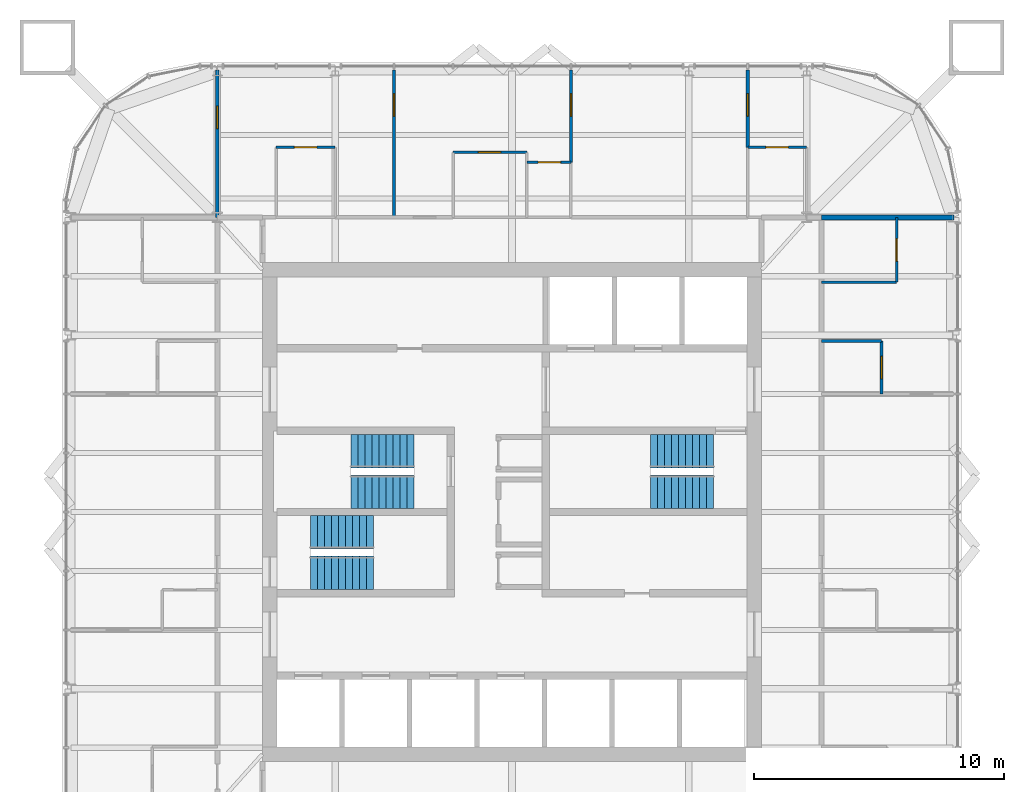
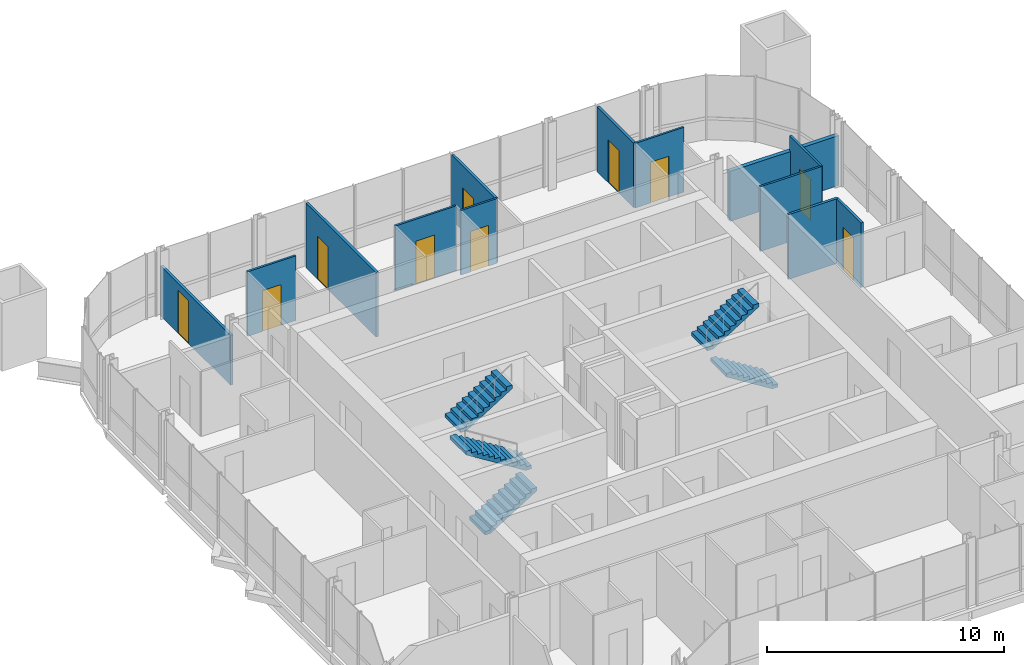
# One storey, part 16 of 17: 13 walls, 10 doors, 6 stair flights, 10 openings, 3 elements without a shape of their own.
"""IFC4 building model written with IfcOpenShell, lengths in metres."""

from ifc_helpers import new_model, si_unit, direction, frame, frame_2d, origin, place, context, subcontext, project, spatial, polyline, rectangle, outline, extrude, material, layer, layer_set, type_object, element, fill, aggregate, save


model = new_model("IFC4")

# Units and contexts
model_context = context("Model", 3, precision=1e-05, world=origin(), true_north=direction((0.0, 1.0)))
body_context = subcontext(model_context, "Body", "Model", "MODEL_VIEW")
ifc_project = project(units=[si_unit("LENGTHUNIT", "METRE"), si_unit("AREAUNIT", "SQUARE_METRE"), si_unit("VOLUMEUNIT", "CUBIC_METRE"), si_unit("PLANEANGLEUNIT", "RADIAN"), si_unit("MASSUNIT", "GRAM", prefix="KILO")], contexts=[model_context])

# Site, building, storey
site_placement = place(None, origin())
site = spatial("IfcSite", under=ifc_project, at=site_placement, CompositionType="ELEMENT")
building_placement = place(site_placement, origin())
building = spatial("IfcBuilding", under=site, at=building_placement, Name="Turquesa Mirador Hotel Tower", CompositionType="ELEMENT")
storey_placement = place(building_placement, frame((0.0, 0.0, 247.699951171875)))
storey = spatial("IfcBuildingStorey", under=building, at=storey_placement, Name="L67", CompositionType="ELEMENT", Elevation=247.699951171875)

# Wall, opening, door
ifc_material_1 = material(Name="Gypsum board on steel studs", Category="steel")
ifc_layer_1 = layer(ifc_material_1, 0.10009765625)
ifc_layer_set_1 = layer_set([ifc_layer_1], Name="BATHROOM WALL 100")
wall_type_1 = type_object("IfcWallType", Name="BATHROOM WALL 100", PredefinedType="PARTITIONING", material=ifc_layer_set_1)
wall_1_placement = place(storey_placement, frame((55.60009765625, 59.0, 0.0), z_axis=(0.0, 0.0, 1.0), x_axis=(1.0, 0.0, 0.0)))
wall_1 = element("IfcWall", 1, at=wall_1_placement, inside=storey, type_object=wall_type_1, Name="Partition L67 033", PredefinedType="PARTITIONING", context=body_context, shape_type="SweptSolid", body=[
    extrude(rectangle(XDim=1.760009765625, YDim=0.10009765625, at=frame_2d((0.8798828125, 0.0))), origin(), (0.0, 0.0, 1.0), 3.330078125),
])
opening_1_placement = place(wall_1_placement, frame((0.449951171875, 0.0, 0.0)))
opening_1 = element("IfcOpeningElement", 2, at=opening_1_placement, cuts=wall_1, Name="Opening D06", PredefinedType="OPENING", context=body_context, shape_type="SweptSolid", body=[
    extrude(rectangle(XDim=0.89990234375, YDim=2.10009765625, at=frame_2d((0.449951171875, 1.050048828125))), frame((0.0, 0.06005859375, 0.0), z_axis=(0.0, -1.0, 0.0), x_axis=(1.0, 0.0, 0.0)), (0.0, 0.0, 1.0), 0.1201171875),
])
ifc_material_2 = material(Name="Laminate door", Category="wood")
door_type_1 = type_object("IfcDoorType", Name="DOOR 900X2100 WC", OperationType="SINGLE_SWING_LEFT", PredefinedType="DOOR", material=ifc_material_2)
door_1_placement = place(opening_1_placement, origin())
door_1 = element("IfcDoor", 3, at=door_1_placement, inside=storey, type_object=door_type_1, Name="Door 6701W", OperationType="SINGLE_SWING_LEFT", OverallHeight=2.10009765625, OverallWidth=0.89990234375, PredefinedType="DOOR", context=body_context, shape_type="SweptSolid", body=[
    extrude(rectangle(XDim=0.89990234375, YDim=2.10009765625, at=frame_2d((0.449951171875, 1.050048828125))), frame((0.0, 0.02490234375, 0.0), z_axis=(0.0, -1.0, 0.0), x_axis=(1.0, 0.0, 0.0)), (0.0, 0.0, 1.0), 0.050048828125),
])
fill(opening_1, door_1)

wall_2_placement = place(storey_placement, frame((52.639892578125, 59.39990234375, 0.0), z_axis=(0.0, 0.0, 1.0), x_axis=(1.0, 0.0, 0.0)))
wall_2 = element("IfcWall", 4, at=wall_2_placement, inside=storey, type_object=wall_type_1, Name="Partition L67 034", PredefinedType="PARTITIONING", context=body_context, shape_type="SweptSolid", body=[
    extrude(rectangle(XDim=2.960205078125, YDim=0.10009765625, at=frame_2d((1.47998046875, 0.0))), origin(), (0.0, 0.0, 1.0), 3.330078125),
])
opening_2_placement = place(wall_2_placement, frame((1.010009765625, 0.0, 0.0)))
opening_2 = element("IfcOpeningElement", 5, at=opening_2_placement, cuts=wall_2, Name="Opening D17", PredefinedType="OPENING", context=body_context, shape_type="SweptSolid", body=[
    extrude(rectangle(XDim=0.89990234375, YDim=2.199951171875, at=frame_2d((0.449951171875, 1.10009765625))), frame((0.0, 0.06005859375, 0.0), z_axis=(0.0, -1.0, 0.0), x_axis=(1.0, 0.0, 0.0)), (0.0, 0.0, 1.0), 0.1201171875),
])
ifc_material_3 = material(Name="Timber veneered door", Category="wood")
door_type_2 = type_object("IfcDoorType", Name="DOOR 900X2200 SUITE INTERNAL", OperationType="SINGLE_SWING_LEFT", PredefinedType="DOOR", material=ifc_material_3)
door_2_placement = place(opening_2_placement, origin())
door_2 = element("IfcDoor", 6, at=door_2_placement, inside=storey, type_object=door_type_2, Name="Door 6701K", OperationType="SINGLE_SWING_LEFT", OverallHeight=2.199951171875, OverallWidth=0.89990234375, PredefinedType="DOOR", context=body_context, shape_type="SweptSolid", body=[
    extrude(rectangle(XDim=0.89990234375, YDim=2.199951171875, at=frame_2d((0.449951171875, 1.10009765625))), frame((0.0, 0.02490234375, 0.0), z_axis=(0.0, -1.0, 0.0), x_axis=(1.0, 0.0, 0.0)), (0.0, 0.0, 1.0), 0.050048828125),
])
fill(opening_2, door_2)

wall_3_placement = place(storey_placement, frame((45.56005859375, 59.60009765625, 0.0), z_axis=(0.0, 0.0, 1.0), x_axis=(1.0, 0.0, 0.0)))
wall_3 = element("IfcWall", 7, at=wall_3_placement, inside=storey, type_object=wall_type_1, Name="Partition L67 035", PredefinedType="PARTITIONING", context=body_context, shape_type="SweptSolid", body=[
    extrude(rectangle(XDim=2.35986328125, YDim=0.10009765625, at=frame_2d((1.179931640625, 0.0))), origin(), (0.0, 0.0, 1.0), 3.330078125),
])
opening_3_placement = place(wall_3_placement, frame((0.72998046875, 0.0, 0.0)))
opening_3 = element("IfcOpeningElement", 8, at=opening_3_placement, cuts=wall_3, Name="Opening D02", PredefinedType="OPENING", context=body_context, shape_type="SweptSolid", body=[
    extrude(rectangle(XDim=0.89990234375, YDim=2.10009765625, at=frame_2d((0.449951171875, 1.050048828125))), frame((0.0, 0.06005859375, 0.0), z_axis=(0.0, -1.0, 0.0), x_axis=(1.0, 0.0, 0.0)), (0.0, 0.0, 1.0), 0.1201171875),
])
ifc_material_4 = material(Name="Timber veneered door", Category="wood")
door_type_3 = type_object("IfcDoorType", Name="DOOR 900X2100 EN-SUITE", OperationType="SINGLE_SWING_RIGHT", PredefinedType="DOOR", material=ifc_material_4)
door_3_placement = place(opening_3_placement, origin())
door_3 = element("IfcDoor", 9, at=door_3_placement, inside=storey, type_object=door_type_3, Name="Door 6701B", OperationType="SINGLE_SWING_RIGHT", OverallHeight=2.10009765625, OverallWidth=0.89990234375, PredefinedType="DOOR", context=body_context, shape_type="SweptSolid", body=[
    extrude(rectangle(XDim=0.89990234375, YDim=2.10009765625, at=frame_2d((0.449951171875, 1.050048828125))), frame((0.0, 0.02490234375, 0.0), z_axis=(0.0, -1.0, 0.0), x_axis=(1.0, 0.0, 0.0)), (0.0, 0.0, 1.0), 0.050048828125),
])
fill(opening_3, door_3)

wall_4_placement = place(storey_placement, frame((64.43994140625, 59.60009765625, 0.0), z_axis=(0.0, 0.0, 1.0), x_axis=(1.0, 0.0, 0.0)))
wall_4 = element("IfcWall", 10, at=wall_4_placement, inside=storey, type_object=wall_type_1, Name="Partition L67 036", PredefinedType="PARTITIONING", context=body_context, shape_type="SweptSolid", body=[
    extrude(rectangle(XDim=2.360107421875, YDim=0.10009765625, at=frame_2d((1.18017578125, 0.0))), origin(), (0.0, 0.0, 1.0), 3.330078125),
])
opening_4_placement = place(wall_4_placement, frame((0.72998046875, 0.0, 0.0)))
opening_4 = element("IfcOpeningElement", 11, at=opening_4_placement, cuts=wall_4, Name="Opening D02", PredefinedType="OPENING", context=body_context, shape_type="SweptSolid", body=[
    extrude(rectangle(XDim=0.89990234375, YDim=2.10009765625, at=frame_2d((0.449951171875, 1.050048828125))), frame((0.0, 0.06005859375, 0.0), z_axis=(0.0, -1.0, 0.0), x_axis=(1.0, 0.0, 0.0)), (0.0, 0.0, 1.0), 0.1201171875),
])
door_4_placement = place(opening_4_placement, origin())
door_4 = element("IfcDoor", 12, at=door_4_placement, inside=storey, type_object=door_type_3, Name="Door 6701E", OperationType="SINGLE_SWING_RIGHT", OverallHeight=2.10009765625, OverallWidth=0.89990234375, PredefinedType="DOOR", context=body_context, shape_type="SweptSolid", body=[
    extrude(rectangle(XDim=0.89990234375, YDim=2.10009765625, at=frame_2d((0.449951171875, 1.050048828125))), frame((0.0, 0.02490234375, 0.0), z_axis=(0.0, -1.0, 0.0), x_axis=(1.0, 0.0, 0.0)), (0.0, 0.0, 1.0), 0.050048828125),
])
fill(opening_4, door_4)

# Wall
wall_5_placement = place(storey_placement, frame((67.39990234375, 54.199951171875, 0.0), z_axis=(0.0, 0.0, 1.0), x_axis=(1.0, 0.0, 0.0)))
element("IfcWall", 13, at=wall_5_placement, inside=storey, type_object=wall_type_1, Name="Partition L67 042", PredefinedType="PARTITIONING", context=body_context, shape_type="SweptSolid", body=[
    extrude(rectangle(XDim=3.0, YDim=0.10009765625, at=frame_2d((1.5, 0.0))), origin(), (0.0, 0.0, 1.0), 3.330078125),
])

# Wall, opening, door
wall_6_placement = place(storey_placement, frame((70.39990234375, 54.199951171875, 0.0), z_axis=(0.0, 0.0, 1.0), x_axis=(0.0, 1.0, 0.0)))
wall_6 = element("IfcWall", 14, at=wall_6_placement, inside=storey, type_object=wall_type_1, Name="Partition L67 070", PredefinedType="PARTITIONING", context=body_context, shape_type="SweptSolid", body=[
    extrude(rectangle(XDim=2.60009765625, YDim=0.10009765625, at=frame_2d((1.300048828125, 0.0))), origin(), (0.0, 0.0, 1.0), 3.330078125),
])
opening_5_placement = place(wall_6_placement, frame((0.85009765625, 0.0, 0.0)))
opening_5 = element("IfcOpeningElement", 15, at=opening_5_placement, cuts=wall_6, Name="Opening D02", PredefinedType="OPENING", context=body_context, shape_type="SweptSolid", body=[
    extrude(rectangle(XDim=0.89990234375, YDim=2.10009765625, at=frame_2d((0.449951171875, 1.050048828125))), frame((0.0, 0.06005859375, 0.0), z_axis=(0.0, -1.0, 0.0), x_axis=(1.0, 0.0, 0.0)), (0.0, 0.0, 1.0), 0.1201171875),
])
door_5_placement = place(opening_5_placement, origin())
door_5 = element("IfcDoor", 16, at=door_5_placement, inside=storey, type_object=door_type_3, Name="Door 6703B", OperationType="SINGLE_SWING_RIGHT", OverallHeight=2.10009765625, OverallWidth=0.89990234375, PredefinedType="DOOR", context=body_context, shape_type="SweptSolid", body=[
    extrude(rectangle(XDim=0.89990234375, YDim=2.10009765625, at=frame_2d((0.449951171875, 1.050048828125))), frame((0.0, 0.02490234375, 0.0), z_axis=(0.0, -1.0, 0.0), x_axis=(1.0, 0.0, 0.0)), (0.0, 0.0, 1.0), 0.050048828125),
])
fill(opening_5, door_5)

# Walls
ifc_material_5 = material(Name="Fire-rated gypsum board on steel studs", Category="steel")
ifc_layer_2 = layer(ifc_material_5, 0.199951171875)
ifc_layer_set_2 = layer_set([ifc_layer_2], Name="PARTY WALL 200")
wall_type_2 = type_object("IfcWallType", Name="PARTY WALL 200", PredefinedType="PARTITIONING", material=ifc_layer_set_2)
wall_7_placement = place(storey_placement, frame((67.39990234375, 56.800048828125, 0.0), z_axis=(0.0, 0.0, 1.0), x_axis=(1.0, 0.0, 0.0)))
element("IfcWall", 17, at=wall_7_placement, inside=storey, type_object=wall_type_2, Name="Partition L67 029", PredefinedType="PARTITIONING", context=body_context, shape_type="SweptSolid", body=[
    extrude(rectangle(XDim=5.300048828125, YDim=0.199951171875, at=frame_2d((2.64990234375, 0.0))), origin(), (0.0, 0.0, 1.0), 2.5732421875),
])
ifc_material_6 = material(Name="Acoustic gypsum board on steel studs", Category="steel")
ifc_layer_3 = layer(ifc_material_6, 0.125)
ifc_layer_set_3 = layer_set([ifc_layer_3], Name="SUITE PARTITION 125")
wall_type_3 = type_object("IfcWallType", Name="SUITE PARTITION 125", PredefinedType="PARTITIONING", material=ifc_layer_set_3)
wall_8_placement = place(storey_placement, frame((67.39990234375, 51.840087890625, 0.0), z_axis=(0.0, 0.0, 1.0), x_axis=(1.0, 0.0, 0.0)))
element("IfcWall", 18, at=wall_8_placement, inside=storey, type_object=wall_type_3, Name="Partition L67 040", PredefinedType="PARTITIONING", context=body_context, shape_type="SweptSolid", body=[
    extrude(rectangle(XDim=2.400146484375, YDim=0.125, at=frame_2d((1.2001953125, 0.0))), origin(), (0.0, 0.0, 1.0), 3.330078125),
])

# Wall, opening, door
wall_9_placement = place(storey_placement, frame((43.199951171875, 56.800048828125, 0.0), z_axis=(0.0, 0.0, 1.0), x_axis=(0.0, 1.0, 0.0)))
wall_9 = element("IfcWall", 19, at=wall_9_placement, inside=storey, type_object=wall_type_3, Name="Partition L67 047", PredefinedType="PARTITIONING", context=body_context, shape_type="SweptSolid", body=[
    extrude(rectangle(XDim=5.89990234375, YDim=0.125, at=frame_2d((2.949951171875, 0.0))), origin(), (0.0, 0.0, 1.0), 2.5732421875),
])
opening_6_placement = place(wall_9_placement, frame((3.550048828125, 0.0, 0.0)))
opening_6 = element("IfcOpeningElement", 20, at=opening_6_placement, cuts=wall_9, Name="Opening D17", PredefinedType="OPENING", context=body_context, shape_type="SweptSolid", body=[
    extrude(rectangle(XDim=0.89990234375, YDim=2.199951171875, at=frame_2d((0.449951171875, 1.10009765625))), frame((0.0, 0.072509765625, 0.0), z_axis=(0.0, -1.0, 0.0), x_axis=(1.0, 0.0, 0.0)), (0.0, 0.0, 1.0), 0.14501953125),
])
door_6_placement = place(opening_6_placement, origin())
door_6 = element("IfcDoor", 21, at=door_6_placement, inside=storey, type_object=door_type_2, Name="Door 6701T", OperationType="SINGLE_SWING_LEFT", OverallHeight=2.199951171875, OverallWidth=0.89990234375, PredefinedType="DOOR", context=body_context, shape_type="SweptSolid", body=[
    extrude(rectangle(XDim=0.89990234375, YDim=2.199951171875, at=frame_2d((0.449951171875, 1.10009765625))), frame((0.0, 0.02490234375, 0.0), z_axis=(0.0, -1.0, 0.0), x_axis=(1.0, 0.0, 0.0)), (0.0, 0.0, 1.0), 0.050048828125),
])
fill(opening_6, door_6)

wall_10_placement = place(storey_placement, frame((50.280029296875, 56.800048828125, 0.0), z_axis=(0.0, 0.0, 1.0), x_axis=(0.0, 1.0, 0.0)))
wall_10 = element("IfcWall", 22, at=wall_10_placement, inside=storey, type_object=wall_type_3, Name="Partition L67 055", PredefinedType="PARTITIONING", context=body_context, shape_type="SweptSolid", body=[
    extrude(rectangle(XDim=5.89990234375, YDim=0.125, at=frame_2d((2.949951171875, 0.0))), origin(), (0.0, 0.0, 1.0), 3.330078125),
])
opening_7_placement = place(wall_10_placement, frame((4.050048828125, 0.0, 0.0)))
opening_7 = element("IfcOpeningElement", 23, at=opening_7_placement, cuts=wall_10, Name="Opening D17", PredefinedType="OPENING", context=body_context, shape_type="SweptSolid", body=[
    extrude(rectangle(XDim=0.89990234375, YDim=2.199951171875, at=frame_2d((0.449951171875, 1.10009765625))), frame((0.0, 0.072509765625, 0.0), z_axis=(0.0, -1.0, 0.0), x_axis=(1.0, 0.0, 0.0)), (0.0, 0.0, 1.0), 0.14501953125),
])
door_7_placement = place(opening_7_placement, origin())
door_7 = element("IfcDoor", 24, at=door_7_placement, inside=storey, type_object=door_type_2, Name="Door 6701R", OperationType="SINGLE_SWING_LEFT", OverallHeight=2.199951171875, OverallWidth=0.89990234375, PredefinedType="DOOR", context=body_context, shape_type="SweptSolid", body=[
    extrude(rectangle(XDim=0.89990234375, YDim=2.199951171875, at=frame_2d((0.449951171875, 1.10009765625))), frame((0.0, 0.02490234375, 0.0), z_axis=(0.0, -1.0, 0.0), x_axis=(1.0, 0.0, 0.0)), (0.0, 0.0, 1.0), 0.050048828125),
])
fill(opening_7, door_7)

wall_11_placement = place(storey_placement, frame((69.800048828125, 49.719970703125, 0.0), z_axis=(0.0, 0.0, 1.0), x_axis=(0.0, 1.0, 0.0)))
wall_11 = element("IfcWall", 25, at=wall_11_placement, inside=storey, type_object=wall_type_3, Name="Partition L67 068", PredefinedType="PARTITIONING", context=body_context, shape_type="SweptSolid", body=[
    extrude(rectangle(XDim=2.1201171875, YDim=0.125, at=frame_2d((1.06005859375, 0.0))), origin(), (0.0, 0.0, 1.0), 3.330078125),
])
opening_8_placement = place(wall_11_placement, frame((0.610107421875, 0.0, 0.0)))
opening_8 = element("IfcOpeningElement", 26, at=opening_8_placement, cuts=wall_11, Name="Opening D17", PredefinedType="OPENING", context=body_context, shape_type="SweptSolid", body=[
    extrude(rectangle(XDim=0.89990234375, YDim=2.199951171875, at=frame_2d((0.449951171875, 1.10009765625))), frame((0.0, 0.072509765625, 0.0), z_axis=(0.0, -1.0, 0.0), x_axis=(1.0, 0.0, 0.0)), (0.0, 0.0, 1.0), 0.14501953125),
])
door_8_placement = place(opening_8_placement, origin())
door_8 = element("IfcDoor", 27, at=door_8_placement, inside=storey, type_object=door_type_2, Name="Door 6703D", OperationType="SINGLE_SWING_LEFT", OverallHeight=2.199951171875, OverallWidth=0.89990234375, PredefinedType="DOOR", context=body_context, shape_type="SweptSolid", body=[
    extrude(rectangle(XDim=0.89990234375, YDim=2.199951171875, at=frame_2d((0.449951171875, 1.10009765625))), frame((0.0, 0.02490234375, 0.0), z_axis=(0.0, -1.0, 0.0), x_axis=(1.0, 0.0, 0.0)), (0.0, 0.0, 1.0), 0.050048828125),
])
fill(opening_8, door_8)

wall_12_placement = place(storey_placement, frame((57.360107421875, 59.0, 0.0), z_axis=(0.0, 0.0, 1.0), x_axis=(0.0, 1.0, 0.0)))
wall_12 = element("IfcWall", 28, at=wall_12_placement, inside=storey, type_object=wall_type_3, Name="Partition L67 074", PredefinedType="PARTITIONING", context=body_context, shape_type="SweptSolid", body=[
    extrude(rectangle(XDim=3.699951171875, YDim=0.125, at=frame_2d((1.85009765625, 0.0))), origin(), (0.0, 0.0, 1.0), 3.330078125),
])
opening_9_placement = place(wall_12_placement, frame((1.85009765625, 0.0, 0.0)))
opening_9 = element("IfcOpeningElement", 29, at=opening_9_placement, cuts=wall_12, Name="Opening D17", PredefinedType="OPENING", context=body_context, shape_type="SweptSolid", body=[
    extrude(rectangle(XDim=0.89990234375, YDim=2.199951171875, at=frame_2d((0.449951171875, 1.10009765625))), frame((0.0, 0.072509765625, 0.0), z_axis=(0.0, -1.0, 0.0), x_axis=(1.0, 0.0, 0.0)), (0.0, 0.0, 1.0), 0.14501953125),
])
door_9_placement = place(opening_9_placement, origin())
door_9 = element("IfcDoor", 30, at=door_9_placement, inside=storey, type_object=door_type_2, Name="Door 6701L", OperationType="SINGLE_SWING_LEFT", OverallHeight=2.199951171875, OverallWidth=0.89990234375, PredefinedType="DOOR", context=body_context, shape_type="SweptSolid", body=[
    extrude(rectangle(XDim=0.89990234375, YDim=2.199951171875, at=frame_2d((0.449951171875, 1.10009765625))), frame((0.0, 0.02490234375, 0.0), z_axis=(0.0, -1.0, 0.0), x_axis=(1.0, 0.0, 0.0)), (0.0, 0.0, 1.0), 0.050048828125),
])
fill(opening_9, door_9)

wall_13_placement = place(storey_placement, frame((64.43994140625, 59.60009765625, 0.0), z_axis=(0.0, 0.0, 1.0), x_axis=(0.0, 1.0, 0.0)))
wall_13 = element("IfcWall", 31, at=wall_13_placement, inside=storey, type_object=wall_type_3, Name="Partition L67 078", PredefinedType="PARTITIONING", context=body_context, shape_type="SweptSolid", body=[
    extrude(rectangle(XDim=3.099853515625, YDim=0.125, at=frame_2d((1.5498046875, 0.0))), origin(), (0.0, 0.0, 1.0), 3.330078125),
])
opening_10_placement = place(wall_13_placement, frame((1.25, 0.0, 0.0)))
opening_10 = element("IfcOpeningElement", 32, at=opening_10_placement, cuts=wall_13, Name="Opening D17", PredefinedType="OPENING", context=body_context, shape_type="SweptSolid", body=[
    extrude(rectangle(XDim=0.89990234375, YDim=2.199951171875, at=frame_2d((0.449951171875, 1.10009765625))), frame((0.0, 0.072509765625, 0.0), z_axis=(0.0, -1.0, 0.0), x_axis=(1.0, 0.0, 0.0)), (0.0, 0.0, 1.0), 0.14501953125),
])
door_10_placement = place(opening_10_placement, origin())
door_10 = element("IfcDoor", 33, at=door_10_placement, inside=storey, type_object=door_type_2, Name="Door 6701S", OperationType="SINGLE_SWING_LEFT", OverallHeight=2.199951171875, OverallWidth=0.89990234375, PredefinedType="DOOR", context=body_context, shape_type="SweptSolid", body=[
    extrude(rectangle(XDim=0.89990234375, YDim=2.199951171875, at=frame_2d((0.449951171875, 1.10009765625))), frame((0.0, 0.02490234375, 0.0), z_axis=(0.0, -1.0, 0.0), x_axis=(1.0, 0.0, 0.0)), (0.0, 0.0, 1.0), 0.050048828125),
])
fill(opening_10, door_10)

# Stair, stair flights
ifc_material_7 = material(Name="Concrete C35/45", Category="concrete")
stair_type = type_object("IfcStairType", Name="ESCAPE STAIR CORE", PredefinedType="HALF_TURN_STAIR", material=ifc_material_7)
stair_1_placement = place(storey_placement, origin())
stair_1 = element("IfcStair", 34, at=stair_1_placement, inside=storey, type_object=stair_type, Name="Stair ST1 L67 to L68", PredefinedType="HALF_TURN_STAIR")
ifc_material_8 = material(Name="Concrete C35/45 precast flight", Category="concrete")
stair_flight_type = type_object("IfcStairFlightType", Name="STAIR FLIGHT 1330", PredefinedType="STRAIGHT", material=ifc_material_8)
stair_flight_1_placement = place(storey_placement, frame((51.070068359375, 45.81494140625, 0.0), z_axis=(0.0, 0.0, 1.0), x_axis=(-1.0, 0.0, 0.0)))
stair_flight_1 = element("IfcStairFlight", 35, at=stair_flight_1_placement, type_object=stair_flight_type, Name="ST1 flight 1", NumberOfRisers=10, NumberOfTreads=9, PredefinedType="STRAIGHT", RiserHeight=0.175, TreadLength=0.28, context=body_context, shape_type="SweptSolid", body=[
    extrude(outline(polyline([(0.0, 0.0), (0.0, 0.175048828125), (0.280029296875, 0.175048828125), (0.280029296875, 0.35009765625), (0.56005859375, 0.35009765625), (0.56005859375, 0.52490234375), (0.840087890625, 0.52490234375), (0.840087890625, 0.699951171875), (1.1201171875, 0.699951171875), (1.1201171875, 0.875), (1.39990234375, 0.875), (1.39990234375, 1.050048828125), (1.679931640625, 1.050048828125), (1.679931640625, 1.22509765625), (1.9599609375, 1.22509765625), (1.9599609375, 1.39990234375), (2.239990234375, 1.39990234375), (2.239990234375, 1.574951171875), (2.52001953125, 1.574951171875), (2.52001953125, 1.75), (2.52001953125, 1.398193359375), (0.28271484375, 0.0), (0.0, 0.0)])), frame((0.0, 0.6650390625, 0.0), z_axis=(0.0, -1.0, 0.0), x_axis=(1.0, 0.0, 0.0)), (0.0, 0.0, 1.0), 1.330078125),
])
stair_flight_2_placement = place(storey_placement, frame((48.550048828125, 47.43505859375, 1.75), z_axis=(0.0, 0.0, 1.0), x_axis=(1.0, 0.0, 0.0)))
stair_flight_2 = element("IfcStairFlight", 36, at=stair_flight_2_placement, type_object=stair_flight_type, Name="ST1 flight 2", NumberOfRisers=10, NumberOfTreads=9, PredefinedType="STRAIGHT", RiserHeight=0.175, TreadLength=0.28, context=body_context, shape_type="SweptSolid", body=[
    extrude(outline(polyline([(0.0, 0.0), (0.0, 0.175048828125), (0.280029296875, 0.175048828125), (0.280029296875, 0.35009765625), (0.56005859375, 0.35009765625), (0.56005859375, 0.52490234375), (0.840087890625, 0.52490234375), (0.840087890625, 0.699951171875), (1.1201171875, 0.699951171875), (1.1201171875, 0.875), (1.39990234375, 0.875), (1.39990234375, 1.050048828125), (1.679931640625, 1.050048828125), (1.679931640625, 1.22509765625), (1.9599609375, 1.22509765625), (1.9599609375, 1.39990234375), (2.239990234375, 1.39990234375), (2.239990234375, 1.574951171875), (2.52001953125, 1.574951171875), (2.52001953125, 1.75), (2.52001953125, 1.398193359375), (0.28271484375, 0.0), (0.0, 0.0)])), frame((0.0, 0.6650390625, 0.0), z_axis=(0.0, -1.0, 0.0), x_axis=(1.0, 0.0, 0.0)), (0.0, 0.0, 1.0), 1.330078125),
])
aggregate(stair_1, [stair_flight_1, stair_flight_2])

stair_2_placement = place(storey_placement, origin())
stair_2 = element("IfcStair", 37, at=stair_2_placement, inside=storey, type_object=stair_type, Name="Stair ST2 L67 to L68", PredefinedType="HALF_TURN_STAIR")
stair_flight_3_placement = place(storey_placement, frame((46.929931640625, 42.56494140625, 0.0), z_axis=(0.0, 0.0, 1.0), x_axis=(1.0, 0.0, 0.0)))
stair_flight_3 = element("IfcStairFlight", 38, at=stair_flight_3_placement, type_object=stair_flight_type, Name="ST2 flight 1", NumberOfRisers=10, NumberOfTreads=9, PredefinedType="STRAIGHT", RiserHeight=0.175, TreadLength=0.28, context=body_context, shape_type="SweptSolid", body=[
    extrude(outline(polyline([(0.0, 0.0), (0.0, 0.175048828125), (0.280029296875, 0.175048828125), (0.280029296875, 0.35009765625), (0.56005859375, 0.35009765625), (0.56005859375, 0.52490234375), (0.840087890625, 0.52490234375), (0.840087890625, 0.699951171875), (1.1201171875, 0.699951171875), (1.1201171875, 0.875), (1.39990234375, 0.875), (1.39990234375, 1.050048828125), (1.679931640625, 1.050048828125), (1.679931640625, 1.22509765625), (1.9599609375, 1.22509765625), (1.9599609375, 1.39990234375), (2.239990234375, 1.39990234375), (2.239990234375, 1.574951171875), (2.52001953125, 1.574951171875), (2.52001953125, 1.75), (2.52001953125, 1.398193359375), (0.28271484375, 0.0), (0.0, 0.0)])), frame((0.0, 0.6650390625, 0.0), z_axis=(0.0, -1.0, 0.0), x_axis=(1.0, 0.0, 0.0)), (0.0, 0.0, 1.0), 1.330078125),
])
stair_flight_4_placement = place(storey_placement, frame((49.449951171875, 44.18505859375, 1.75), z_axis=(0.0, 0.0, 1.0), x_axis=(-1.0, 0.0, 0.0)))
stair_flight_4 = element("IfcStairFlight", 39, at=stair_flight_4_placement, type_object=stair_flight_type, Name="ST2 flight 2", NumberOfRisers=10, NumberOfTreads=9, PredefinedType="STRAIGHT", RiserHeight=0.175, TreadLength=0.28, context=body_context, shape_type="SweptSolid", body=[
    extrude(outline(polyline([(0.0, 0.0), (0.0, 0.175048828125), (0.280029296875, 0.175048828125), (0.280029296875, 0.35009765625), (0.56005859375, 0.35009765625), (0.56005859375, 0.52490234375), (0.840087890625, 0.52490234375), (0.840087890625, 0.699951171875), (1.1201171875, 0.699951171875), (1.1201171875, 0.875), (1.39990234375, 0.875), (1.39990234375, 1.050048828125), (1.679931640625, 1.050048828125), (1.679931640625, 1.22509765625), (1.9599609375, 1.22509765625), (1.9599609375, 1.39990234375), (2.239990234375, 1.39990234375), (2.239990234375, 1.574951171875), (2.52001953125, 1.574951171875), (2.52001953125, 1.75), (2.52001953125, 1.398193359375), (0.28271484375, 0.0), (0.0, 0.0)])), frame((0.0, 0.6650390625, 0.0), z_axis=(0.0, -1.0, 0.0), x_axis=(1.0, 0.0, 0.0)), (0.0, 0.0, 1.0), 1.330078125),
])
aggregate(stair_2, [stair_flight_3, stair_flight_4])

stair_3_placement = place(storey_placement, origin())
stair_3 = element("IfcStair", 40, at=stair_3_placement, inside=storey, type_object=stair_type, Name="Stair ST3 L67 to L68", PredefinedType="HALF_TURN_STAIR")
stair_flight_5_placement = place(storey_placement, frame((63.070068359375, 45.81494140625, 0.0), z_axis=(0.0, 0.0, 1.0), x_axis=(-1.0, 0.0, 0.0)))
stair_flight_5 = element("IfcStairFlight", 41, at=stair_flight_5_placement, type_object=stair_flight_type, Name="ST3 flight 1", NumberOfRisers=10, NumberOfTreads=9, PredefinedType="STRAIGHT", RiserHeight=0.175, TreadLength=0.28, context=body_context, shape_type="SweptSolid", body=[
    extrude(outline(polyline([(0.0, 0.0), (0.0, 0.175048828125), (0.280029296875, 0.175048828125), (0.280029296875, 0.35009765625), (0.56005859375, 0.35009765625), (0.56005859375, 0.52490234375), (0.840087890625, 0.52490234375), (0.840087890625, 0.699951171875), (1.1201171875, 0.699951171875), (1.1201171875, 0.875), (1.39990234375, 0.875), (1.39990234375, 1.050048828125), (1.679931640625, 1.050048828125), (1.679931640625, 1.22509765625), (1.9599609375, 1.22509765625), (1.9599609375, 1.39990234375), (2.239990234375, 1.39990234375), (2.239990234375, 1.574951171875), (2.52001953125, 1.574951171875), (2.52001953125, 1.75), (2.52001953125, 1.398193359375), (0.28271484375, 0.0), (0.0, 0.0)])), frame((0.0, 0.6650390625, 0.0), z_axis=(0.0, -1.0, 0.0), x_axis=(1.0, 0.0, 0.0)), (0.0, 0.0, 1.0), 1.330078125),
])
stair_flight_6_placement = place(storey_placement, frame((60.550048828125, 47.43505859375, 1.75), z_axis=(0.0, 0.0, 1.0), x_axis=(1.0, 0.0, 0.0)))
stair_flight_6 = element("IfcStairFlight", 42, at=stair_flight_6_placement, type_object=stair_flight_type, Name="ST3 flight 2", NumberOfRisers=10, NumberOfTreads=9, PredefinedType="STRAIGHT", RiserHeight=0.175, TreadLength=0.28, context=body_context, shape_type="SweptSolid", body=[
    extrude(outline(polyline([(0.0, 0.0), (0.0, 0.175048828125), (0.280029296875, 0.175048828125), (0.280029296875, 0.35009765625), (0.56005859375, 0.35009765625), (0.56005859375, 0.52490234375), (0.840087890625, 0.52490234375), (0.840087890625, 0.699951171875), (1.1201171875, 0.699951171875), (1.1201171875, 0.875), (1.39990234375, 0.875), (1.39990234375, 1.050048828125), (1.679931640625, 1.050048828125), (1.679931640625, 1.22509765625), (1.9599609375, 1.22509765625), (1.9599609375, 1.39990234375), (2.239990234375, 1.39990234375), (2.239990234375, 1.574951171875), (2.52001953125, 1.574951171875), (2.52001953125, 1.75), (2.52001953125, 1.398193359375), (0.28271484375, 0.0), (0.0, 0.0)])), frame((0.0, 0.6650390625, 0.0), z_axis=(0.0, -1.0, 0.0), x_axis=(1.0, 0.0, 0.0)), (0.0, 0.0, 1.0), 1.330078125),
])
aggregate(stair_3, [stair_flight_5, stair_flight_6])

save(model, "model.ifc")
